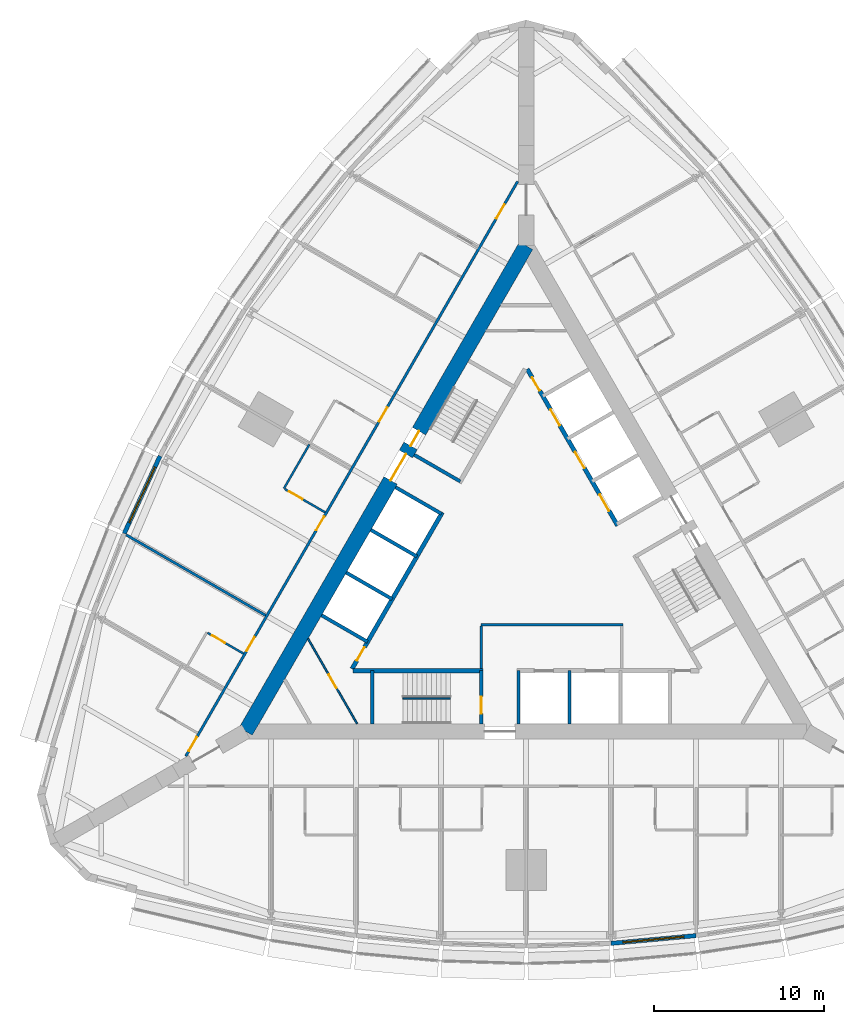
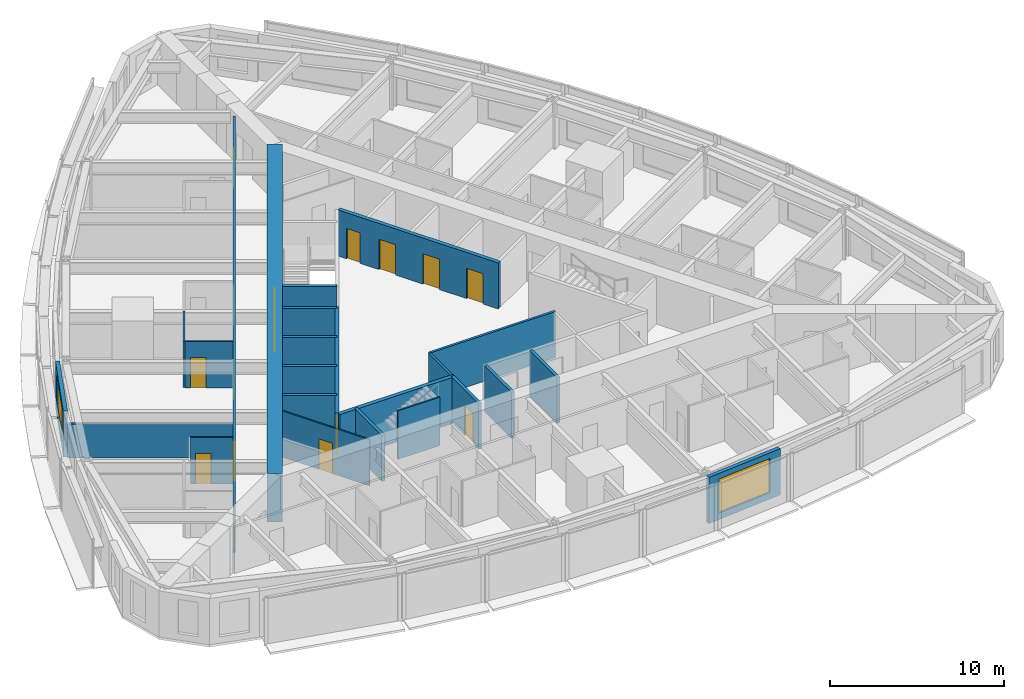
# One storey, part 9 of 14: 24 walls, 16 doors, 2 windows, 18 openings.
"""IFC4 building model written with IfcOpenShell, lengths in metres."""

from ifc_helpers import new_model, si_unit, direction, frame, frame_2d, origin, place, context, subcontext, project, spatial, rectangle, extrude, material, layer, layer_set, type_object, element, fill, save


model = new_model("IFC4")

# Units and contexts
model_context = context("Model", 3, precision=1e-05, world=origin(), true_north=direction((0.0, 1.0)))
body_context = subcontext(model_context, "Body", "Model", "MODEL_VIEW")
ifc_project = project(units=[si_unit("LENGTHUNIT", "METRE"), si_unit("AREAUNIT", "SQUARE_METRE"), si_unit("VOLUMEUNIT", "CUBIC_METRE"), si_unit("PLANEANGLEUNIT", "RADIAN"), si_unit("MASSUNIT", "GRAM", prefix="KILO")], contexts=[model_context])

# Site, building, storey
site_placement = place(None, origin())
site = spatial("IfcSite", under=ifc_project, at=site_placement, CompositionType="ELEMENT")
building_placement = place(site_placement, origin())
building = spatial("IfcBuilding", under=site, at=building_placement, Name="Trikona Tower", CompositionType="ELEMENT")
storey_placement = place(building_placement, frame((0.0, 0.0, 31.89990234375)))
storey = spatial("IfcBuildingStorey", under=building, at=storey_placement, Name="L06", CompositionType="ELEMENT", Elevation=31.89990234375)

# Wall
ifc_material_1 = material(Name="Metal stud and cement board", Category="gypsum")
ifc_layer_1 = layer(ifc_material_1, 0.1201171875)
ifc_layer_set_1 = layer_set([ifc_layer_1], Name="Bathroom wall 120")
wall_type_1 = type_object("IfcWallType", Name="Bathroom wall 120", PredefinedType="PLUMBINGWALL", material=ifc_layer_set_1)
wall_1_placement = place(storey_placement, frame((-12.75341796875, 7.363037109375, 0.0), z_axis=(0.0, 0.0, 1.0), x_axis=(-0.50002537861, -0.866010750942, 0.0)))
element("IfcWall", 1, at=wall_1_placement, inside=storey, type_object=wall_type_1, Name="Bathroom wall 0616", PredefinedType="PLUMBINGWALL", context=body_context, shape_type="SweptSolid", body=[
    extrude(rectangle(XDim=2.999755859375, YDim=0.1201171875, at=frame_2d((1.5, 0.0))), origin(), (0.0, 0.0, 1.0), 3.235107421875),
])

# Wall, opening, door
wall_2_placement = place(storey_placement, frame((-11.82861328125, 3.364990234375, 0.0), z_axis=(0.0, 0.0, 1.0), x_axis=(-0.865997131366, 0.500048966069, 0.0)))
wall_2 = element("IfcWall", 2, at=wall_2_placement, inside=storey, type_object=wall_type_1, Name="Bathroom wall 0616", PredefinedType="PLUMBINGWALL", context=body_context, shape_type="SweptSolid", body=[
    extrude(rectangle(XDim=2.739990234375, YDim=0.1201171875, at=frame_2d((1.3701171875, 0.0))), origin(), (0.0, 0.0, 1.0), 3.235107421875),
])
opening_1_placement = place(wall_2_placement, frame((1.550048828125, 0.0, 0.0)))
opening_1 = element("IfcOpeningElement", 3, at=opening_1_placement, cuts=wall_2, Name="Opening D2", PredefinedType="OPENING", context=body_context, shape_type="SweptSolid", body=[
    extrude(rectangle(XDim=0.89990234375, YDim=2.1298828125, at=frame_2d((0.449951171875, 1.06494140625))), frame((0.0, 0.070068359375, 0.0), z_axis=(0.0, -1.0, 0.0), x_axis=(1.0, 0.0, 0.0)), (0.0, 0.0, 1.0), 0.14013671875),
])
ifc_material_2 = material(Name="Steel door frame with solid-core timber leaf", Category="steel")
door_type_1 = type_object("IfcDoorType", Name="Bathroom door 900x2130", OperationType="SLIDING_TO_LEFT", PredefinedType="DOOR", material=ifc_material_2)
door_1_placement = place(opening_1_placement, origin())
door_1 = element("IfcDoor", 4, at=door_1_placement, inside=storey, type_object=door_type_1, Name="Bathroom door 0616", OperationType="SLIDING_TO_LEFT", OverallHeight=2.1298828125, OverallWidth=0.89990234375, PredefinedType="DOOR", context=body_context, shape_type="SweptSolid", body=[
    extrude(rectangle(XDim=0.89990234375, YDim=2.1298828125, at=frame_2d((0.449951171875, 1.06494140625))), frame((0.0, 0.02490234375, 0.0), z_axis=(0.0, -1.0, 0.0), x_axis=(1.0, 0.0, 0.0)), (0.0, 0.0, 1.0), 0.050048828125),
])
fill(opening_1, door_1)

wall_3_placement = place(storey_placement, frame((-16.62841796875, -4.94873046875, 0.0), z_axis=(0.0, 0.0, 1.0), x_axis=(-0.866048967903, 0.499959183527, 0.0)))
wall_3 = element("IfcWall", 5, at=wall_3_placement, inside=storey, type_object=wall_type_1, Name="Bathroom wall 0617", PredefinedType="PLUMBINGWALL", context=body_context, shape_type="SweptSolid", body=[
    extrude(rectangle(XDim=2.440185546875, YDim=0.1201171875, at=frame_2d((1.22021484375, 0.0))), origin(), (0.0, 0.0, 1.0), 3.235107421875),
])
opening_2_placement = place(wall_3_placement, frame((1.25, 0.0, 0.0)))
opening_2 = element("IfcOpeningElement", 6, at=opening_2_placement, cuts=wall_3, Name="Opening D2", PredefinedType="OPENING", context=body_context, shape_type="SweptSolid", body=[
    extrude(rectangle(XDim=0.89990234375, YDim=2.1298828125, at=frame_2d((0.449951171875, 1.06494140625))), frame((0.0, 0.070068359375, 0.0), z_axis=(0.0, -1.0, 0.0), x_axis=(1.0, 0.0, 0.0)), (0.0, 0.0, 1.0), 0.14013671875),
])
door_2_placement = place(opening_2_placement, origin())
door_2 = element("IfcDoor", 7, at=door_2_placement, inside=storey, type_object=door_type_1, Name="Bathroom door 0617", OperationType="SLIDING_TO_LEFT", OverallHeight=2.1298828125, OverallWidth=0.89990234375, PredefinedType="DOOR", context=body_context, shape_type="SweptSolid", body=[
    extrude(rectangle(XDim=0.89990234375, YDim=2.1298828125, at=frame_2d((0.449951171875, 1.06494140625))), frame((0.0, 0.02490234375, 0.0), z_axis=(0.0, -1.0, 0.0), x_axis=(1.0, 0.0, 0.0)), (0.0, 0.0, 1.0), 0.050048828125),
])
fill(opening_2, door_2)

# Wall, openings, doors
ifc_material_3 = material(Name="Concrete f'c 10000 psi", Category="concrete")
ifc_layer_2 = layer(ifc_material_3, 0.89990234375)
ifc_layer_set_2 = layer_set([ifc_layer_2], Name="Core wall 900")
wall_type_2 = type_object("IfcWallType", Name="Core wall 900", PredefinedType="SHEAR", material=ifc_layer_set_2)
wall_4_placement = place(storey_placement, frame((0.0, 19.052490234375, 0.0), z_axis=(0.0, 0.0, 1.0), x_axis=(-0.499999749417, -0.866025548458, 0.0)))
wall_4 = element("IfcWall", 8, at=wall_4_placement, inside=storey, type_object=wall_type_2, Name="Core wall C", PredefinedType="SHEAR", context=body_context, shape_type="SweptSolid", body=[
    extrude(rectangle(XDim=33.0, YDim=0.89990234375, at=frame_2d((16.5, 0.0))), origin(), (0.0, 0.0, 1.0), 3.400146484375),
])
opening_3_placement = place(wall_4_placement, frame((14.14990234375, 0.0, 0.0)))
opening_3 = element("IfcOpeningElement", 9, at=opening_3_placement, cuts=wall_4, Name="Opening D6", PredefinedType="OPENING", context=body_context, shape_type="SweptSolid", body=[
    extrude(rectangle(XDim=1.800048828125, YDim=2.1298828125, at=frame_2d((0.89990234375, 1.06494140625))), frame((0.0, 0.4599609375, 0.0), z_axis=(0.0, -1.0, 0.0), x_axis=(1.0, 0.0, 0.0)), (0.0, 0.0, 1.0), 0.919921875),
])
opening_4_placement = place(wall_4_placement, frame((12.60009765625, 0.0, 0.0)))
opening_4 = element("IfcOpeningElement", 10, at=opening_4_placement, cuts=wall_4, Name="Opening D5", PredefinedType="OPENING", context=body_context, shape_type="SweptSolid", body=[
    extrude(rectangle(XDim=1.0, YDim=2.1298828125, at=frame_2d((0.5, 1.06494140625))), frame((0.0, 0.4599609375, 0.0), z_axis=(0.0, -1.0, 0.0), x_axis=(1.0, 0.0, 0.0)), (0.0, 0.0, 1.0), 0.919921875),
])
ifc_material_4 = material(Name="Hollow metal door and frame", Category="steel")
door_type_2 = type_object("IfcDoorType", Name="Lobby door pair 1800x2130", OperationType="DOUBLE_DOOR_SINGLE_SWING", PredefinedType="DOOR", material=ifc_material_4)
door_3_placement = place(opening_3_placement, origin())
door_3 = element("IfcDoor", 11, at=door_3_placement, inside=storey, type_object=door_type_2, Name="Lift lobby door C", OperationType="DOUBLE_DOOR_SINGLE_SWING", OverallHeight=2.1298828125, OverallWidth=1.800048828125, PredefinedType="DOOR", context=body_context, shape_type="SweptSolid", body=[
    extrude(rectangle(XDim=1.800048828125, YDim=2.1298828125, at=frame_2d((0.89990234375, 1.06494140625))), frame((0.0, 0.02490234375, 0.0), z_axis=(0.0, -1.0, 0.0), x_axis=(1.0, 0.0, 0.0)), (0.0, 0.0, 1.0), 0.050048828125),
])
fill(opening_3, door_3)
ifc_material_5 = material(Name="Hollow metal door and frame", Category="steel")
door_type_3 = type_object("IfcDoorType", Name="Stair door 1000x2130", OperationType="SINGLE_SWING_LEFT", PredefinedType="DOOR", material=ifc_material_5)
door_4_placement = place(opening_4_placement, origin())
door_4 = element("IfcDoor", 12, at=door_4_placement, inside=storey, type_object=door_type_3, Name="Stair C door", OperationType="SINGLE_SWING_RIGHT", OverallHeight=2.1298828125, OverallWidth=1.0, PredefinedType="DOOR", context=body_context, shape_type="SweptSolid", body=[
    extrude(rectangle(XDim=1.0, YDim=2.1298828125, at=frame_2d((0.5, 1.06494140625))), frame((0.0, 0.02490234375, 0.0), z_axis=(0.0, -1.0, 0.0), x_axis=(1.0, 0.0, 0.0)), (0.0, 0.0, 1.0), 0.050048828125),
])
fill(opening_4, door_4)

ifc_material_6 = material(Name="Metal stud and gypsum board, 1-hour", Category="gypsum")
ifc_layer_3 = layer(ifc_material_6, 0.14990234375)
ifc_layer_set_3 = layer_set([ifc_layer_3], Name="Corridor wall 150")
wall_type_3 = type_object("IfcWallType", Name="Corridor wall 150", PredefinedType="PARTITIONING", material=ifc_layer_set_3)
wall_5_placement = place(storey_placement, frame((-0.5, 22.83642578125, 0.0), z_axis=(0.0, 0.0, 1.0), x_axis=(-0.500001677587, -0.866024435227, 0.0)))
wall_5 = element("IfcWall", 13, at=wall_5_placement, inside=storey, type_object=wall_type_3, Name="Corridor wall L06-3", PredefinedType="PARTITIONING", context=body_context, shape_type="SweptSolid", body=[
    extrude(rectangle(XDim=39.053955078125, YDim=0.14990234375, at=frame_2d((19.52685546875, 0.0))), origin(), (0.0, 0.0, 1.0), 3.235107421875),
])
opening_5_placement = place(wall_5_placement, frame((1.558349609375, 0.0, 0.0)))
opening_5 = element("IfcOpeningElement", 14, at=opening_5_placement, cuts=wall_5, Name="Opening D1", PredefinedType="OPENING", context=body_context, shape_type="SweptSolid", body=[
    extrude(rectangle(XDim=0.949951171875, YDim=2.1298828125, at=frame_2d((0.47509765625, 1.06494140625))), frame((0.0, 0.0849609375, 0.0), z_axis=(0.0, -1.0, 0.0), x_axis=(1.0, 0.0, 0.0)), (0.0, 0.0, 1.0), 0.169921875),
])
opening_6_placement = place(wall_5_placement, frame((15.35205078125, 0.0, 0.0)))
opening_6 = element("IfcOpeningElement", 15, at=opening_6_placement, cuts=wall_5, Name="Opening D1", PredefinedType="OPENING", context=body_context, shape_type="SweptSolid", body=[
    extrude(rectangle(XDim=0.949951171875, YDim=2.1298828125, at=frame_2d((0.47509765625, 1.06494140625))), frame((0.0, 0.0849609375, 0.0), z_axis=(0.0, -1.0, 0.0), x_axis=(1.0, 0.0, 0.0)), (0.0, 0.0, 1.0), 0.169921875),
])
opening_7_placement = place(wall_5_placement, frame((22.751953125, 0.0, 0.0)))
opening_7 = element("IfcOpeningElement", 16, at=opening_7_placement, cuts=wall_5, Name="Opening D1", PredefinedType="OPENING", context=body_context, shape_type="SweptSolid", body=[
    extrude(rectangle(XDim=0.949951171875, YDim=2.1298828125, at=frame_2d((0.47509765625, 1.06494140625))), frame((0.0, 0.0849609375, 0.0), z_axis=(0.0, -1.0, 0.0), x_axis=(1.0, 0.0, 0.0)), (0.0, 0.0, 1.0), 0.169921875),
])
opening_8_placement = place(wall_5_placement, frame((30.951904296875, 0.0, 0.0)))
opening_8 = element("IfcOpeningElement", 17, at=opening_8_placement, cuts=wall_5, Name="Opening D1", PredefinedType="OPENING", context=body_context, shape_type="SweptSolid", body=[
    extrude(rectangle(XDim=0.949951171875, YDim=2.1298828125, at=frame_2d((0.47509765625, 1.06494140625))), frame((0.0, 0.0849609375, 0.0), z_axis=(0.0, -1.0, 0.0), x_axis=(1.0, 0.0, 0.0)), (0.0, 0.0, 1.0), 0.169921875),
])
opening_9_placement = place(wall_5_placement, frame((37.751953125, 0.0, 0.0)))
opening_9 = element("IfcOpeningElement", 18, at=opening_9_placement, cuts=wall_5, Name="Opening D1", PredefinedType="OPENING", context=body_context, shape_type="SweptSolid", body=[
    extrude(rectangle(XDim=0.949951171875, YDim=2.1298828125, at=frame_2d((0.47509765625, 1.06494140625))), frame((0.0, 0.0849609375, 0.0), z_axis=(0.0, -1.0, 0.0), x_axis=(1.0, 0.0, 0.0)), (0.0, 0.0, 1.0), 0.169921875),
])
ifc_material_7 = material(Name="Steel door frame with solid-core timber leaf", Category="steel")
door_type_4 = type_object("IfcDoorType", Name="Guest room door 950x2130", OperationType="SINGLE_SWING_LEFT", PredefinedType="DOOR", material=ifc_material_7)
door_5_placement = place(opening_5_placement, origin())
door_5 = element("IfcDoor", 19, at=door_5_placement, inside=storey, type_object=door_type_4, Name="Room door 0614", OperationType="SINGLE_SWING_LEFT", OverallHeight=2.1298828125, OverallWidth=0.949951171875, PredefinedType="DOOR", context=body_context, shape_type="SweptSolid", body=[
    extrude(rectangle(XDim=0.949951171875, YDim=2.1298828125, at=frame_2d((0.47509765625, 1.06494140625))), frame((0.0, 0.02490234375, 0.0), z_axis=(0.0, -1.0, 0.0), x_axis=(1.0, 0.0, 0.0)), (0.0, 0.0, 1.0), 0.050048828125),
])
fill(opening_5, door_5)
door_6_placement = place(opening_6_placement, origin())
door_6 = element("IfcDoor", 20, at=door_6_placement, inside=storey, type_object=door_type_4, Name="Room door 0615", OperationType="SINGLE_SWING_RIGHT", OverallHeight=2.1298828125, OverallWidth=0.949951171875, PredefinedType="DOOR", context=body_context, shape_type="SweptSolid", body=[
    extrude(rectangle(XDim=0.949951171875, YDim=2.1298828125, at=frame_2d((0.47509765625, 1.06494140625))), frame((0.0, 0.02490234375, 0.0), z_axis=(0.0, -1.0, 0.0), x_axis=(1.0, 0.0, 0.0)), (0.0, 0.0, 1.0), 0.050048828125),
])
fill(opening_6, door_6)
door_7_placement = place(opening_7_placement, origin())
door_7 = element("IfcDoor", 21, at=door_7_placement, inside=storey, type_object=door_type_4, Name="Room door 0616", OperationType="SINGLE_SWING_LEFT", OverallHeight=2.1298828125, OverallWidth=0.949951171875, PredefinedType="DOOR", context=body_context, shape_type="SweptSolid", body=[
    extrude(rectangle(XDim=0.949951171875, YDim=2.1298828125, at=frame_2d((0.47509765625, 1.06494140625))), frame((0.0, 0.02490234375, 0.0), z_axis=(0.0, -1.0, 0.0), x_axis=(1.0, 0.0, 0.0)), (0.0, 0.0, 1.0), 0.050048828125),
])
fill(opening_7, door_7)
door_8_placement = place(opening_8_placement, origin())
door_8 = element("IfcDoor", 22, at=door_8_placement, inside=storey, type_object=door_type_4, Name="Room door 0617", OperationType="SINGLE_SWING_RIGHT", OverallHeight=2.1298828125, OverallWidth=0.949951171875, PredefinedType="DOOR", context=body_context, shape_type="SweptSolid", body=[
    extrude(rectangle(XDim=0.949951171875, YDim=2.1298828125, at=frame_2d((0.47509765625, 1.06494140625))), frame((0.0, 0.02490234375, 0.0), z_axis=(0.0, -1.0, 0.0), x_axis=(1.0, 0.0, 0.0)), (0.0, 0.0, 1.0), 0.050048828125),
])
fill(opening_8, door_8)
door_9_placement = place(opening_9_placement, origin())
door_9 = element("IfcDoor", 23, at=door_9_placement, inside=storey, type_object=door_type_4, Name="Room door 0618", OperationType="SINGLE_SWING_RIGHT", OverallHeight=2.1298828125, OverallWidth=0.949951171875, PredefinedType="DOOR", context=body_context, shape_type="SweptSolid", body=[
    extrude(rectangle(XDim=0.949951171875, YDim=2.1298828125, at=frame_2d((0.47509765625, 1.06494140625))), frame((0.0, 0.02490234375, 0.0), z_axis=(0.0, -1.0, 0.0), x_axis=(1.0, 0.0, 0.0)), (0.0, 0.0, 1.0), 0.050048828125),
])
fill(opening_9, door_9)

# Wall
ifc_material_8 = material(Name="Concrete f'c 8000 psi", Category="concrete")
ifc_layer_4 = layer(ifc_material_8, 0.25)
ifc_layer_set_4 = layer_set([ifc_layer_4], Name="Hub wall 250")
wall_type_4 = type_object("IfcWallType", Name="Hub wall 250", PredefinedType="SOLIDWALL", material=ifc_layer_set_4)
wall_6_placement = place(storey_placement, frame((-10.182861328125, -5.951416015625, 0.0), z_axis=(0.0, 0.0, 1.0), x_axis=(1.0, 0.0, 0.0)))
element("IfcWall", 24, at=wall_6_placement, inside=storey, type_object=wall_type_4, Name="Lift lobby wall A1", PredefinedType="SOLIDWALL", context=body_context, shape_type="SweptSolid", body=[
    extrude(rectangle(XDim=7.6328125, YDim=0.25, at=frame_2d((3.81640625, 0.0))), origin(), (0.0, 0.0, 1.0), 3.235107421875),
])

# Wall, openings, doors
wall_7_placement = place(storey_placement, frame((5.37890625, 2.5859375, 0.0), z_axis=(0.0, 0.0, 1.0), x_axis=(-0.500001375892, 0.866024609411, 0.0)))
wall_7 = element("IfcWall", 25, at=wall_7_placement, inside=storey, type_object=wall_type_4, Name="Lift lobby wall B2", PredefinedType="SOLIDWALL", context=body_context, shape_type="SweptSolid", body=[
    extrude(rectangle(XDim=10.6328125, YDim=0.25, at=frame_2d((5.31640625, 0.0))), origin(), (0.0, 0.0, 1.0), 3.235107421875),
])
opening_10_placement = place(wall_7_placement, frame((9.1640625, 0.0, 0.0)))
opening_10 = element("IfcOpeningElement", 26, at=opening_10_placement, cuts=wall_7, Name="Opening D14", PredefinedType="OPENING", context=body_context, shape_type="SweptSolid", body=[
    extrude(rectangle(XDim=0.89990234375, YDim=2.1298828125, at=frame_2d((0.449951171875, 1.06494140625))), frame((0.0, 0.135009765625, 0.0), z_axis=(0.0, -1.0, 0.0), x_axis=(1.0, 0.0, 0.0)), (0.0, 0.0, 1.0), 0.27001953125),
])
opening_11_placement = place(wall_7_placement, frame((1.0, 0.0, 0.0)))
opening_11 = element("IfcOpeningElement", 27, at=opening_11_placement, cuts=wall_7, Name="Opening LD", PredefinedType="OPENING", context=body_context, shape_type="SweptSolid", body=[
    extrude(rectangle(XDim=1.10009765625, YDim=2.1298828125, at=frame_2d((0.550048828125, 1.06494140625))), frame((0.0, 0.135009765625, 0.0), z_axis=(0.0, -1.0, 0.0), x_axis=(1.0, 0.0, 0.0)), (0.0, 0.0, 1.0), 0.27001953125),
])
opening_12_placement = place(wall_7_placement, frame((3.89990234375, 0.0, 0.0)))
opening_12 = element("IfcOpeningElement", 28, at=opening_12_placement, cuts=wall_7, Name="Opening LD", PredefinedType="OPENING", context=body_context, shape_type="SweptSolid", body=[
    extrude(rectangle(XDim=1.10009765625, YDim=2.1298828125, at=frame_2d((0.550048828125, 1.06494140625))), frame((0.0, 0.135009765625, 0.0), z_axis=(0.0, -1.0, 0.0), x_axis=(1.0, 0.0, 0.0)), (0.0, 0.0, 1.0), 0.27001953125),
])
opening_13_placement = place(wall_7_placement, frame((6.800048828125, 0.0, 0.0)))
opening_13 = element("IfcOpeningElement", 29, at=opening_13_placement, cuts=wall_7, Name="Opening LD", PredefinedType="OPENING", context=body_context, shape_type="SweptSolid", body=[
    extrude(rectangle(XDim=1.10009765625, YDim=2.1298828125, at=frame_2d((0.550048828125, 1.06494140625))), frame((0.0, 0.135009765625, 0.0), z_axis=(0.0, -1.0, 0.0), x_axis=(1.0, 0.0, 0.0)), (0.0, 0.0, 1.0), 0.27001953125),
])
ifc_material_9 = material(Name="Stainless steel lift landing door", Category="steel")
door_type_5 = type_object("IfcDoorType", Name="Lift landing door 1100x2130", OperationType="DOUBLE_DOOR_SLIDING", PredefinedType="USERDEFINED", material=ifc_material_9)
door_10_placement = place(opening_11_placement, origin())
door_10 = element("IfcDoor", 30, at=door_10_placement, inside=storey, type_object=door_type_5, Name="Lift landing door L1-1", ObjectType="LIFT LANDING DOOR", OperationType="DOUBLE_DOOR_SLIDING", OverallHeight=2.1298828125, OverallWidth=1.10009765625, PredefinedType="USERDEFINED", context=body_context, shape_type="SweptSolid", body=[
    extrude(rectangle(XDim=1.10009765625, YDim=2.1298828125, at=frame_2d((0.550048828125, 1.06494140625))), frame((0.0, 0.02490234375, 0.0), z_axis=(0.0, -1.0, 0.0), x_axis=(1.0, 0.0, 0.0)), (0.0, 0.0, 1.0), 0.050048828125),
])
fill(opening_11, door_10)
door_11_placement = place(opening_12_placement, origin())
door_11 = element("IfcDoor", 31, at=door_11_placement, inside=storey, type_object=door_type_5, Name="Lift landing door L1-2", ObjectType="LIFT LANDING DOOR", OperationType="DOUBLE_DOOR_SLIDING", OverallHeight=2.1298828125, OverallWidth=1.10009765625, PredefinedType="USERDEFINED", context=body_context, shape_type="SweptSolid", body=[
    extrude(rectangle(XDim=1.10009765625, YDim=2.1298828125, at=frame_2d((0.550048828125, 1.06494140625))), frame((0.0, 0.02490234375, 0.0), z_axis=(0.0, -1.0, 0.0), x_axis=(1.0, 0.0, 0.0)), (0.0, 0.0, 1.0), 0.050048828125),
])
fill(opening_12, door_11)
door_12_placement = place(opening_13_placement, origin())
door_12 = element("IfcDoor", 32, at=door_12_placement, inside=storey, type_object=door_type_5, Name="Lift landing door L1-3", ObjectType="LIFT LANDING DOOR", OperationType="DOUBLE_DOOR_SLIDING", OverallHeight=2.1298828125, OverallWidth=1.10009765625, PredefinedType="USERDEFINED", context=body_context, shape_type="SweptSolid", body=[
    extrude(rectangle(XDim=1.10009765625, YDim=2.1298828125, at=frame_2d((0.550048828125, 1.06494140625))), frame((0.0, 0.02490234375, 0.0), z_axis=(0.0, -1.0, 0.0), x_axis=(1.0, 0.0, 0.0)), (0.0, 0.0, 1.0), 0.050048828125),
])
fill(opening_13, door_12)
ifc_material_10 = material(Name="Hollow metal door and frame", Category="steel")
door_type_6 = type_object("IfcDoorType", Name="Service room door 900x2130", OperationType="SINGLE_SWING_LEFT", PredefinedType="DOOR", material=ifc_material_10)
door_13_placement = place(opening_10_placement, origin())
door_13 = element("IfcDoor", 33, at=door_13_placement, inside=storey, type_object=door_type_6, Name="Door Housekeeping store HKS", OperationType="SINGLE_SWING_RIGHT", OverallHeight=2.1298828125, OverallWidth=0.89990234375, PredefinedType="DOOR", context=body_context, shape_type="SweptSolid", body=[
    extrude(rectangle(XDim=0.89990234375, YDim=2.1298828125, at=frame_2d((0.449951171875, 1.06494140625))), frame((0.0, 0.02490234375, 0.0), z_axis=(0.0, -1.0, 0.0), x_axis=(1.0, 0.0, 0.0)), (0.0, 0.0, 1.0), 0.050048828125),
])
fill(opening_10, door_13)

# Wall, opening, door
wall_8_placement = place(storey_placement, frame((-4.928955078125, 3.365478515625, 0.0), z_axis=(0.0, 0.0, 1.0), x_axis=(-0.499991433582, -0.866030349552, 0.0)))
wall_8 = element("IfcWall", 34, at=wall_8_placement, inside=storey, type_object=wall_type_4, Name="Lift lobby wall C2", PredefinedType="SOLIDWALL", context=body_context, shape_type="SweptSolid", body=[
    extrude(rectangle(XDim=10.633056640625, YDim=0.25, at=frame_2d((5.31640625, 0.0))), origin(), (0.0, 0.0, 1.0), 3.235107421875),
])
opening_14_placement = place(wall_8_placement, frame((9.1640625, 0.0, 0.0)))
opening_14 = element("IfcOpeningElement", 35, at=opening_14_placement, cuts=wall_8, Name="Opening D14", PredefinedType="OPENING", context=body_context, shape_type="SweptSolid", body=[
    extrude(rectangle(XDim=0.89990234375, YDim=2.1298828125, at=frame_2d((0.449951171875, 1.06494140625))), frame((0.0, 0.135009765625, 0.0), z_axis=(0.0, -1.0, 0.0), x_axis=(1.0, 0.0, 0.0)), (0.0, 0.0, 1.0), 0.27001953125),
])
door_14_placement = place(opening_14_placement, origin())
door_14 = element("IfcDoor", 36, at=door_14_placement, inside=storey, type_object=door_type_6, Name="Door Ice and vending ICE", OperationType="SINGLE_SWING_RIGHT", OverallHeight=2.1298828125, OverallWidth=0.89990234375, PredefinedType="DOOR", context=body_context, shape_type="SweptSolid", body=[
    extrude(rectangle(XDim=0.89990234375, YDim=2.1298828125, at=frame_2d((0.449951171875, 1.06494140625))), frame((0.0, 0.02490234375, 0.0), z_axis=(0.0, -1.0, 0.0), x_axis=(1.0, 0.0, 0.0)), (0.0, 0.0, 1.0), 0.050048828125),
])
fill(opening_14, door_14)

# Wall, opening, window
ifc_material_11 = material(Name="Insulated precast concrete spandrel panel", Category="concrete")
ifc_layer_5 = layer(ifc_material_11, 0.25)
ifc_layer_set_5 = layer_set([ifc_layer_5], Name="Inner skin wall 250")
wall_type_5 = type_object("IfcWallType", Name="Inner skin wall 250", PredefinedType="STANDARD", material=ifc_layer_set_5)
wall_9_placement = place(storey_placement, frame((4.988525390625, -21.995849609375, 0.0), z_axis=(0.0, 0.0, 1.0), x_axis=(0.995857256774, 0.090930325692, 0.0)))
wall_9 = element("IfcWall", 37, at=wall_9_placement, inside=storey, type_object=wall_type_5, Name="External wall L06-05", PredefinedType="STANDARD", context=body_context, shape_type="SweptSolid", body=[
    extrude(rectangle(XDim=5.020751953125, YDim=0.25, at=frame_2d((2.51025390625, 0.0))), origin(), (0.0, 0.0, 1.0), 3.235107421875),
])
opening_15_placement = place(wall_9_placement, frame((0.71044921875, 0.0, 0.449951171875)))
opening_15 = element("IfcOpeningElement", 38, at=opening_15_placement, cuts=wall_9, Name="Opening W3624", PredefinedType="OPENING", context=body_context, shape_type="SweptSolid", body=[
    extrude(rectangle(XDim=3.60009765625, YDim=2.39990234375, at=frame_2d((1.800048828125, 1.199951171875))), frame((0.0, 0.135009765625, 0.0), z_axis=(0.0, -1.0, 0.0), x_axis=(1.0, 0.0, 0.0)), (0.0, 0.0, 1.0), 0.27001953125),
])
ifc_material_12 = material(Name="Aluminium-framed double glazing", Category="aluminium")
window_type = type_object("IfcWindowType", Name="Window 3600x2400", PartitioningType="SINGLE_PANEL", PredefinedType="WINDOW", material=ifc_material_12)
window_1_placement = place(opening_15_placement, origin())
window_1 = element("IfcWindow", 39, at=window_1_placement, inside=storey, type_object=window_type, Name="Window 0604", OverallHeight=2.39990234375, OverallWidth=3.60009765625, PartitioningType="SINGLE_PANEL", PredefinedType="WINDOW", context=body_context, shape_type="SweptSolid", body=[
    extrude(rectangle(XDim=3.60009765625, YDim=2.39990234375, at=frame_2d((1.800048828125, 1.199951171875))), frame((0.0, 0.030029296875, 0.0), z_axis=(0.0, -1.0, 0.0), x_axis=(1.0, 0.0, 0.0)), (0.0, 0.0, 1.0), 0.06005859375),
])
fill(opening_15, window_1)

wall_10_placement = place(storey_placement, frame((-21.543212890625, 6.677734375, 0.0), z_axis=(0.0, 0.0, 1.0), x_axis=(-0.419203100754, -0.907892482796, 0.0)))
wall_10 = element("IfcWall", 40, at=wall_10_placement, inside=storey, type_object=wall_type_5, Name="External wall L06-29", PredefinedType="STANDARD", context=body_context, shape_type="SweptSolid", body=[
    extrude(rectangle(XDim=5.020751953125, YDim=0.25, at=frame_2d((2.51025390625, 0.0))), origin(), (0.0, 0.0, 1.0), 3.235107421875),
])
opening_16_placement = place(wall_10_placement, frame((0.71044921875, 0.0, 0.449951171875)))
opening_16 = element("IfcOpeningElement", 41, at=opening_16_placement, cuts=wall_10, Name="Opening W3624", PredefinedType="OPENING", context=body_context, shape_type="SweptSolid", body=[
    extrude(rectangle(XDim=3.60009765625, YDim=2.39990234375, at=frame_2d((1.800048828125, 1.199951171875))), frame((0.0, 0.135009765625, 0.0), z_axis=(0.0, -1.0, 0.0), x_axis=(1.0, 0.0, 0.0)), (0.0, 0.0, 1.0), 0.27001953125),
])
window_2_placement = place(opening_16_placement, origin())
window_2 = element("IfcWindow", 42, at=window_2_placement, inside=storey, type_object=window_type, Name="Window 0616", OverallHeight=2.39990234375, OverallWidth=3.60009765625, PartitioningType="SINGLE_PANEL", PredefinedType="WINDOW", context=body_context, shape_type="SweptSolid", body=[
    extrude(rectangle(XDim=3.60009765625, YDim=2.39990234375, at=frame_2d((1.800048828125, 1.199951171875))), frame((0.0, 0.030029296875, 0.0), z_axis=(0.0, -1.0, 0.0), x_axis=(1.0, 0.0, 0.0)), (0.0, 0.0, 1.0), 0.06005859375),
])
fill(opening_16, window_2)

# Walls
ifc_material_13 = material(Name="Metal stud and gypsum board, 2-hour shaft wall", Category="gypsum")
ifc_layer_6 = layer(ifc_material_13, 0.14990234375)
ifc_layer_set_6 = layer_set([ifc_layer_6], Name="Lobby wall 150")
wall_type_6 = type_object("IfcWallType", Name="Lobby wall 150", PredefinedType="PARTITIONING", material=ifc_layer_set_6)
wall_11_placement = place(storey_placement, frame((-2.64990234375, -3.251220703125, 0.0), z_axis=(0.0, 0.0, 1.0), x_axis=(1.0, 0.0, 0.0)))
element("IfcWall", 43, at=wall_11_placement, inside=storey, type_object=wall_type_6, Name="Fire service lift lobby wall 1", PredefinedType="PARTITIONING", context=body_context, shape_type="SweptSolid", body=[
    extrude(rectangle(XDim=8.349853515625, YDim=0.14990234375, at=frame_2d((4.1748046875, 0.0))), origin(), (0.0, 0.0, 1.0), 3.235107421875),
])
wall_12_placement = place(storey_placement, frame((-2.64990234375, -5.826416015625, 0.0), z_axis=(0.0, 0.0, 1.0), x_axis=(0.0, 1.0, 0.0)))
element("IfcWall", 44, at=wall_12_placement, inside=storey, type_object=wall_type_6, Name="Fire service lift lobby wall 2", PredefinedType="PARTITIONING", context=body_context, shape_type="SweptSolid", body=[
    extrude(rectangle(XDim=2.5, YDim=0.14990234375, at=frame_2d((1.25, 0.0))), origin(), (0.0, 0.0, 1.0), 3.235107421875),
])
ifc_material_14 = material(Name="Metal stud and gypsum board, 1-hour acoustic", Category="gypsum")
ifc_layer_7 = layer(ifc_material_14, 0.14990234375)
ifc_layer_set_7 = layer_set([ifc_layer_7], Name="Party wall 150")
wall_type_7 = type_object("IfcWallType", Name="Party wall 150", PredefinedType="PARTITIONING", material=ifc_layer_set_7)
wall_13_placement = place(storey_placement, frame((-15.32861328125, -2.697021484375, 0.0), z_axis=(0.0, 0.0, 1.0), x_axis=(-0.866018409083, 0.500012114982, 0.0)))
element("IfcWall", 45, at=wall_13_placement, inside=storey, type_object=wall_type_7, Name="Partition L06 F3 u10", PredefinedType="PARTITIONING", context=body_context, shape_type="SweptSolid", body=[
    extrude(rectangle(XDim=9.484619140625, YDim=0.14990234375, at=frame_2d((4.7421875, 0.0))), origin(), (0.0, 0.0, 1.0), 2.389404296875),
])
ifc_material_15 = material(Name="Concrete f'c 8000 psi", Category="concrete")
ifc_layer_8 = layer(ifc_material_15, 0.199951171875)
ifc_layer_set_8 = layer_set([ifc_layer_8], Name="Shaft wall 200")
wall_type_8 = type_object("IfcWallType", Name="Shaft wall 200", PredefinedType="SOLIDWALL", material=ifc_layer_set_8)
for number, where, z_axis, x_axis, name in (
    (46, (-0.449951171875, -5.951416015625, 0.0), (0.0, 0.0, 1.0), (0.0, -1.0, 0.0), "Shaft wall A3"),
    (47, (2.550048828125, -5.951416015625, 0.0), (0.0, 0.0, 1.0), (0.0, -1.0, 0.0), "Shaft wall A4"),
    (48, (-4.97900390625, 3.27880859375, 0.0), (0.0, 0.0, 1.0), (-0.866022959057, 0.500004234368, 0.0), "Shaft wall C3"),
    (49, (-6.428955078125, 0.767333984375, 0.0), (0.0, 0.0, 1.0), (-0.866022959057, 0.500004234368, 0.0), "Shaft wall C4"),
    (50, (-7.87890625, -1.744140625, 0.0), (0.0, 0.0, 1.0), (-0.866022959057, 0.500004234368, 0.0), "Shaft wall C5"),
    (51, (-9.3291015625, -4.255615234375, 0.0), (0.0, 0.0, 1.0), (-0.866022959057, 0.500004234368, 0.0), "Shaft wall C6"),
):
    element("IfcWall", number, at=place(storey_placement, frame(where, z_axis=z_axis, x_axis=x_axis)), inside=storey, type_object=wall_type_8, Name=name, PredefinedType="SOLIDWALL", context=body_context, shape_type="SweptSolid", body=[
        extrude(rectangle(XDim=3.125, YDim=0.199951171875, at=frame_2d((1.5625, 0.0))), origin(), (0.0, 0.0, 1.0), 3.235107421875),
    ])
ifc_material_16 = material(Name="Concrete f'c 8000 psi", Category="concrete")
ifc_layer_9 = layer(ifc_material_16, 0.199951171875)
ifc_layer_set_9 = layer_set([ifc_layer_9], Name="Shaft wall 200 load-bearing")
wall_type_9 = type_object("IfcWallType", Name="Shaft wall 200 load-bearing", PredefinedType="SOLIDWALL", material=ifc_layer_set_9)
wall_14_placement = place(storey_placement, frame((-9.050048828125, -5.951416015625, 0.0), z_axis=(0.0, 0.0, 1.0), x_axis=(0.0, -1.0, 0.0)))
element("IfcWall", 52, at=wall_14_placement, inside=storey, type_object=wall_type_9, Name="Shaft wall A1", PredefinedType="SOLIDWALL", context=body_context, shape_type="SweptSolid", body=[
    extrude(rectangle(XDim=3.125, YDim=0.199951171875, at=frame_2d((1.5625, 0.0))), origin(), (0.0, 0.0, 1.0), 3.235107421875),
])

# Wall, opening, door
wall_15_placement = place(storey_placement, frame((-2.64990234375, -5.951416015625, 0.0), z_axis=(0.0, 0.0, 1.0), x_axis=(0.0, -1.0, 0.0)))
wall_15 = element("IfcWall", 53, at=wall_15_placement, inside=storey, type_object=wall_type_9, Name="Shaft wall A2", PredefinedType="SOLIDWALL", context=body_context, shape_type="SweptSolid", body=[
    extrude(rectangle(XDim=3.125, YDim=0.199951171875, at=frame_2d((1.5625, 0.0))), origin(), (0.0, 0.0, 1.0), 3.235107421875),
])
opening_17_placement = place(wall_15_placement, frame((1.52490234375, 0.0, 0.0)))
opening_17 = element("IfcOpeningElement", 54, at=opening_17_placement, cuts=wall_15, Name="Opening D5", PredefinedType="OPENING", context=body_context, shape_type="SweptSolid", body=[
    extrude(rectangle(XDim=1.0, YDim=2.1298828125, at=frame_2d((0.5, 1.06494140625))), frame((0.0, 0.10986328125, 0.0), z_axis=(0.0, -1.0, 0.0), x_axis=(1.0, 0.0, 0.0)), (0.0, 0.0, 1.0), 0.219970703125),
])
door_15_placement = place(opening_17_placement, origin())
door_15 = element("IfcDoor", 55, at=door_15_placement, inside=storey, type_object=door_type_3, Name="Stair A door", OperationType="SINGLE_SWING_RIGHT", OverallHeight=2.1298828125, OverallWidth=1.0, PredefinedType="DOOR", context=body_context, shape_type="SweptSolid", body=[
    extrude(rectangle(XDim=1.0, YDim=2.1298828125, at=frame_2d((0.5, 1.06494140625))), frame((0.0, 0.02490234375, 0.0), z_axis=(0.0, -1.0, 0.0), x_axis=(1.0, 0.0, 0.0)), (0.0, 0.0, 1.0), 0.050048828125),
])
fill(opening_17, door_15)

# Walls
wall_16_placement = place(storey_placement, frame((-3.87890625, 5.18408203125, 0.0), z_axis=(0.0, 0.0, 1.0), x_axis=(-0.866022959057, 0.500004234368, 0.0)))
element("IfcWall", 56, at=wall_16_placement, inside=storey, type_object=wall_type_9, Name="Shaft wall C2", PredefinedType="SOLIDWALL", context=body_context, shape_type="SweptSolid", body=[
    extrude(rectangle(XDim=3.125, YDim=0.199951171875, at=frame_2d((1.5625, 0.0))), origin(), (0.0, 0.0, 1.0), 3.235107421875),
])
ifc_material_17 = material(Name="Concrete f'c 5000 psi", Category="concrete")
ifc_layer_10 = layer(ifc_material_17, 0.10009765625)
ifc_layer_set_10 = layer_set([ifc_layer_10], Name="Stair spine wall 100")
wall_type_10 = type_object("IfcWallType", Name="Stair spine wall 100", PredefinedType="SOLIDWALL", material=ifc_layer_set_10)
wall_17_placement = place(storey_placement, frame((-7.2470703125, -7.576416015625, 0.0), z_axis=(0.0, 0.0, 1.0), x_axis=(1.0, 0.0, 0.0)))
element("IfcWall", 57, at=wall_17_placement, inside=storey, type_object=wall_type_10, Name="Stair A spine wall L06", PredefinedType="SOLIDWALL", context=body_context, shape_type="SweptSolid", body=[
    extrude(rectangle(XDim=2.794189453125, YDim=0.10009765625, at=frame_2d((1.39697265625, 0.0))), origin(), (0.0, 0.0, 1.0), 3.400146484375),
])

# Wall, opening, door
ifc_material_18 = material(Name="Metal stud and gypsum board, acoustic", Category="gypsum")
ifc_layer_11 = layer(ifc_material_18, 0.10009765625)
ifc_layer_set_11 = layer_set([ifc_layer_11], Name="Suite partition 100")
wall_type_11 = type_object("IfcWallType", Name="Suite partition 100", PredefinedType="PARTITIONING", material=ifc_layer_set_11)
wall_18_placement = place(storey_placement, frame((-9.947021484375, -9.076416015625, 0.0), z_axis=(0.0, 0.0, 1.0), x_axis=(-0.500027479704, 0.866009537788, 0.0)))
wall_18 = element("IfcWall", 58, at=wall_18_placement, inside=storey, type_object=wall_type_11, Name="Store partition L06-RS3", PredefinedType="PARTITIONING", context=body_context, shape_type="SweptSolid", body=[
    extrude(rectangle(XDim=5.773681640625, YDim=0.10009765625, at=frame_2d((2.88671875, 0.0))), origin(), (0.0, 0.0, 1.0), 3.235107421875),
])
opening_18_placement = place(wall_18_placement, frame((2.436767578125, 0.0, 0.0)))
opening_18 = element("IfcOpeningElement", 59, at=opening_18_placement, cuts=wall_18, Name="Opening D15", PredefinedType="OPENING", context=body_context, shape_type="SweptSolid", body=[
    extrude(rectangle(XDim=0.89990234375, YDim=2.1298828125, at=frame_2d((0.449951171875, 1.06494140625))), frame((0.0, 0.06005859375, 0.0), z_axis=(0.0, -1.0, 0.0), x_axis=(1.0, 0.0, 0.0)), (0.0, 0.0, 1.0), 0.1201171875),
])
ifc_material_19 = material(Name="Steel door frame with solid-core timber leaf", Category="steel")
door_type_7 = type_object("IfcDoorType", Name="Store door 900x2130", OperationType="SINGLE_SWING_LEFT", PredefinedType="DOOR", material=ifc_material_19)
door_16_placement = place(opening_18_placement, origin())
door_16 = element("IfcDoor", 60, at=door_16_placement, inside=storey, type_object=door_type_7, Name="Door Cleaner's store CLN", OperationType="SINGLE_SWING_RIGHT", OverallHeight=2.1298828125, OverallWidth=0.89990234375, PredefinedType="DOOR", context=body_context, shape_type="SweptSolid", body=[
    extrude(rectangle(XDim=0.89990234375, YDim=2.1298828125, at=frame_2d((0.449951171875, 1.06494140625))), frame((0.0, 0.02490234375, 0.0), z_axis=(0.0, -1.0, 0.0), x_axis=(1.0, 0.0, 0.0)), (0.0, 0.0, 1.0), 0.050048828125),
])
fill(opening_18, door_16)

save(model, "model.ifc")
